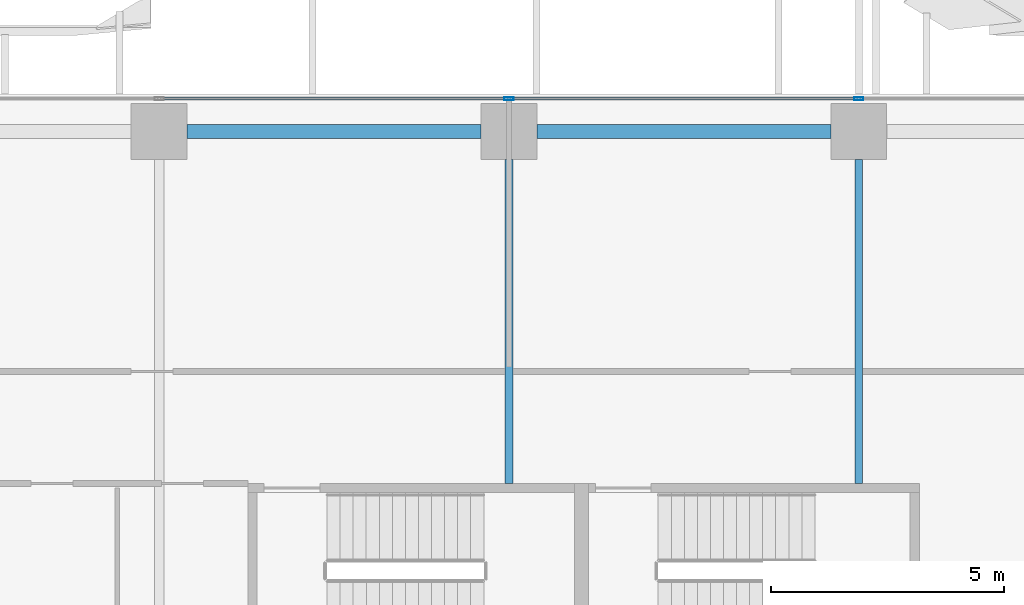
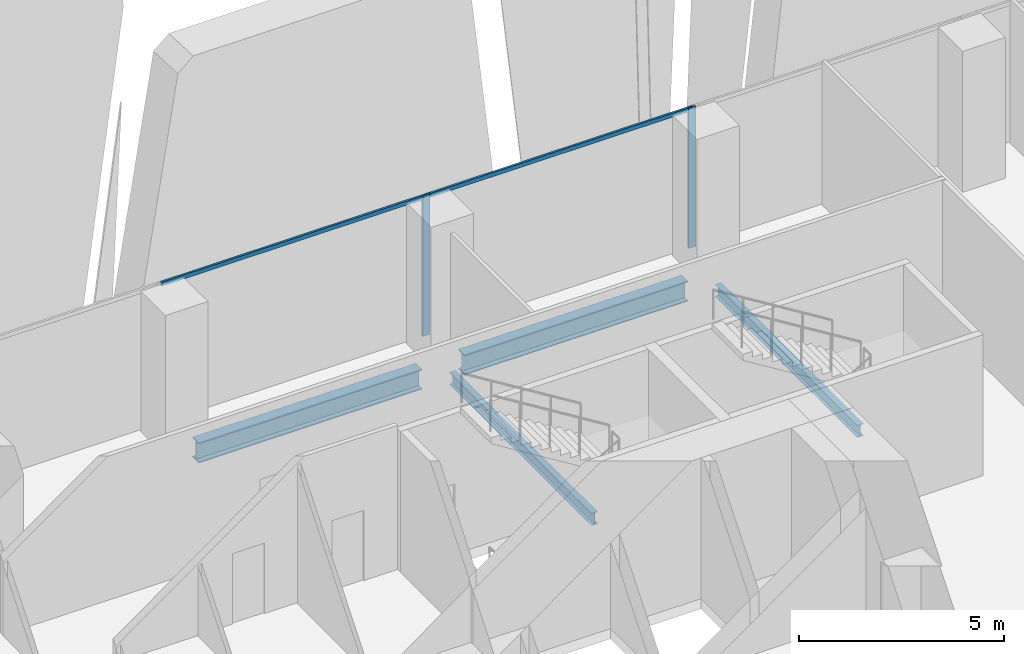
# One storey, part 17 of 37: 4 beams, 4 members, 1 element without a shape of its own.
"""IFC4 building model written with IfcOpenShell, lengths in metres."""

from ifc_helpers import new_model, si_unit, direction, frame, origin, origin_2d, place, context, subcontext, project, spatial, hollow_rectangle, i_section, extrude, source, transform, mapped, material, material_profile, profile_set, type_object, element, aggregate, save


model = new_model("IFC4")

# Units and contexts
model_context = context("Model", 3, precision=1e-05, world=origin(), true_north=direction((0.0, 1.0)))
body_context = subcontext(model_context, "Body", "Model", "MODEL_VIEW")
ifc_project = project(units=[si_unit("LENGTHUNIT", "METRE"), si_unit("AREAUNIT", "SQUARE_METRE"), si_unit("VOLUMEUNIT", "CUBIC_METRE"), si_unit("PLANEANGLEUNIT", "RADIAN"), si_unit("MASSUNIT", "GRAM", prefix="KILO")], contexts=[model_context])

# Site, building, storey
site_placement = place(None, origin())
site = spatial("IfcSite", under=ifc_project, at=site_placement, CompositionType="ELEMENT")
building_placement = place(site_placement, origin())
building = spatial("IfcBuilding", under=site, at=building_placement, Name="Khomas Fold Tower", CompositionType="ELEMENT")
storey_placement = place(building_placement, frame((0.0, 0.0, 60.0)))
storey = spatial("IfcBuildingStorey", under=building, at=storey_placement, Name="L12", CompositionType="ELEMENT", Elevation=60.0)

# Beams
ifc_material_1 = material(Name="Steel S355", Category="steel")
ifc_material_profile_1 = material_profile(ifc_material_1, i_section(OverallWidth=0.169921875, OverallDepth=0.360107421875, WebThickness=0.008056640625, FlangeThickness=0.0126953125, at=origin_2d()), Name="IPE 360")
ifc_profile_set_1 = profile_set([ifc_material_profile_1], Name="Steel S355")
beam_type_1 = type_object("IfcBeamType", Name="IPE 360 beam JB2", PredefinedType="BEAM", material=ifc_profile_set_1)
shared_shape_1 = source(origin(), body_context, "Body", "SweptSolid", [
    extrude(i_section(OverallWidth=0.169921875, OverallDepth=0.360107421875, WebThickness=0.008056640625, FlangeThickness=0.0126953125, at=origin_2d()), origin(), (0.0, 0.0, 1.0), 6.9501953125),
])
for number, where, z_axis, x_axis, name in (
    (1, (19.5, 45.64990234375, -0.47998046875), (0.0, 1.0, 0.0), (-1.0, 0.0, 0.0), "JB2"),
    (2, (27.0, 45.64990234375, -0.47998046875), (0.0, 1.0, 0.0), (-1.0, 0.0, 0.0), "JB2"),
):
    element("IfcBeam", number, at=place(storey_placement, frame(where, z_axis=z_axis, x_axis=x_axis)), inside=storey, type_object=beam_type_1, Name=name, PredefinedType="BEAM", context=body_context, shape_type="MappedRepresentation", body=[
        mapped(shared_shape_1, transform((0.0, 0.0, 0.0))),
    ])
ifc_material_2 = material(Name="Steel S355", Category="steel")
ifc_material_profile_2 = material_profile(ifc_material_2, i_section(OverallWidth=0.300048828125, OverallDepth=0.60009765625, WebThickness=0.015380859375, FlangeThickness=0.030029296875, at=origin_2d()), Name="HE 600 B")
ifc_profile_set_2 = profile_set([ifc_material_profile_2], Name="Steel S355")
beam_type_2 = type_object("IfcBeamType", Name="HE 600 B spandrel SB1", PredefinedType="SPANDREL", material=ifc_profile_set_2)
shared_shape_2 = source(origin(), body_context, "Body", "SweptSolid", [
    extrude(i_section(OverallWidth=0.300048828125, OverallDepth=0.60009765625, WebThickness=0.015380859375, FlangeThickness=0.030029296875, at=origin_2d()), origin(), (0.0, 0.0, 1.0), 6.2998046875),
])
for number, where, z_axis, x_axis, name in (
    (3, (20.10009765625, 53.199951171875, -0.60009765625), (1.0, 0.0, 0.0), (0.0, 1.0, 0.0), "SB1"),
    (4, (12.60009765625, 53.199951171875, -0.60009765625), (1.0, 0.0, 0.0), (0.0, 1.0, 0.0), "SB1"),
):
    element("IfcBeam", number, at=place(storey_placement, frame(where, z_axis=z_axis, x_axis=x_axis)), inside=storey, type_object=beam_type_2, Name=name, PredefinedType="SPANDREL", context=body_context, shape_type="MappedRepresentation", body=[
        mapped(shared_shape_2, transform((0.0, 0.0, 0.0))),
    ])

# Curtain wall, members
ifc_material_3 = material(Name="Aluminium framed double glazing", Category="aluminium")
curtain_wall_type = type_object("IfcCurtainWallType", Name="SK-Unitised clear-glass wall, growing floors CW1", PredefinedType="NOTDEFINED", material=ifc_material_3)
curtain_wall_placement = place(storey_placement, origin())
curtain_wall = element("IfcCurtainWall", 5, at=curtain_wall_placement, inside=storey, type_object=curtain_wall_type, Name="CW1 run L12 06-0", PredefinedType="NOTDEFINED")
ifc_material_4 = material(Name="Aluminium", Category="aluminium")
ifc_material_profile_3 = material_profile(ifc_material_4, hollow_rectangle(XDim=0.06005859375, YDim=0.1201171875, WallThickness=0.00390625, at=origin_2d()), Name="SK-Unitised clear-glass wall, growing floors transom CW1-T")
ifc_profile_set_3 = profile_set([ifc_material_profile_3], Name="Aluminium")
member_type_1 = type_object("IfcMemberType", Name="SK-Unitised clear-glass wall, growing floors transom CW1-T", PredefinedType="USERDEFINED", material=ifc_profile_set_3)
shared_shape_3 = source(origin(), body_context, "Body", "SweptSolid", [
    extrude(hollow_rectangle(XDim=0.06005859375, YDim=0.1201171875, WallThickness=0.00390625, at=origin_2d()), origin(), (0.0, 0.0, 1.0), 7.43994140625),
])
member_1_placement = place(storey_placement, frame((26.969970703125, 53.89990234375, 4.139892578125), z_axis=(-1.0, 0.0, 0.0), x_axis=(0.0, -1.0, 0.0)))
member_1 = element("IfcMember", 6, at=member_1_placement, type_object=member_type_1, Name="CW1 transom 5", ObjectType="TRANSOM", PredefinedType="USERDEFINED", context=body_context, shape_type="MappedRepresentation", body=[
    mapped(shared_shape_3, transform((0.0, 0.0, 0.0))),
])
member_2_placement = place(storey_placement, frame((19.469970703125, 53.89990234375, 4.139892578125), z_axis=(-1.0, 0.0, 0.0), x_axis=(0.0, -1.0, 0.0)))
member_2 = element("IfcMember", 7, at=member_2_placement, type_object=member_type_1, Name="CW1 transom 6", ObjectType="TRANSOM", PredefinedType="USERDEFINED", context=body_context, shape_type="MappedRepresentation", body=[
    mapped(shared_shape_3, transform((0.0, 0.0, 0.0))),
])
ifc_material_5 = material(Name="Aluminium", Category="aluminium")
ifc_material_profile_4 = material_profile(ifc_material_5, hollow_rectangle(XDim=0.06005859375, YDim=0.199951171875, WallThickness=0.00390625, at=origin_2d()), Name="SK-Unitised clear-glass wall, growing floors mullion CW1-M")
ifc_profile_set_4 = profile_set([ifc_material_profile_4], Name="Aluminium")
member_type_2 = type_object("IfcMemberType", Name="SK-Unitised clear-glass wall, growing floors mullion CW1-M", PredefinedType="MULLION", material=ifc_profile_set_4)
shared_shape_4 = source(origin(), body_context, "Body", "SweptSolid", [
    extrude(hollow_rectangle(XDim=0.06005859375, YDim=0.199951171875, WallThickness=0.00390625, at=origin_2d()), origin(), (0.0, 0.0, 1.0), 4.199951171875),
])
member_3_placement = place(storey_placement, frame((27.0, 53.89990234375, 0.0), z_axis=(0.0, 0.0, 1.0), x_axis=(0.0, -1.0, 0.0)))
member_3 = element("IfcMember", 8, at=member_3_placement, type_object=member_type_2, Name="CW1 mullion 5", PredefinedType="MULLION", context=body_context, shape_type="MappedRepresentation", body=[
    mapped(shared_shape_4, transform((0.0, 0.0, 0.0))),
])
member_4_placement = place(storey_placement, frame((19.5, 53.89990234375, 0.0), z_axis=(0.0, 0.0, 1.0), x_axis=(0.0, -1.0, 0.0)))
member_4 = element("IfcMember", 9, at=member_4_placement, type_object=member_type_2, Name="CW1 mullion 6", PredefinedType="MULLION", context=body_context, shape_type="MappedRepresentation", body=[
    mapped(shared_shape_4, transform((0.0, 0.0, 0.0))),
])
aggregate(curtain_wall, [member_3, member_4, member_1, member_2])

save(model, "model.ifc")
